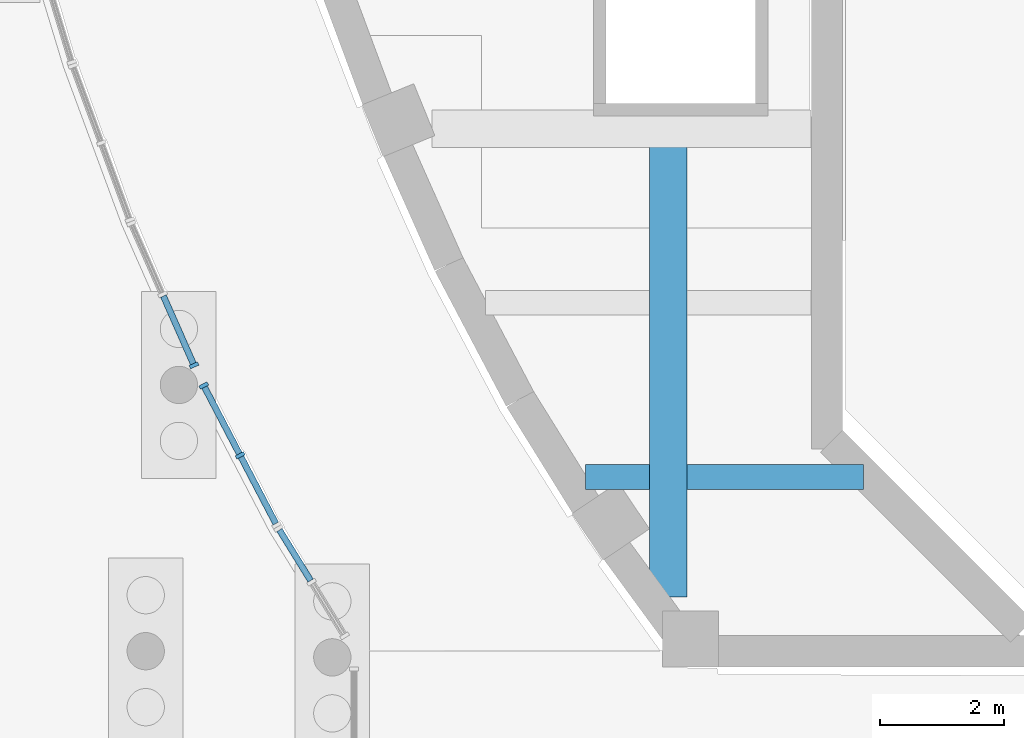
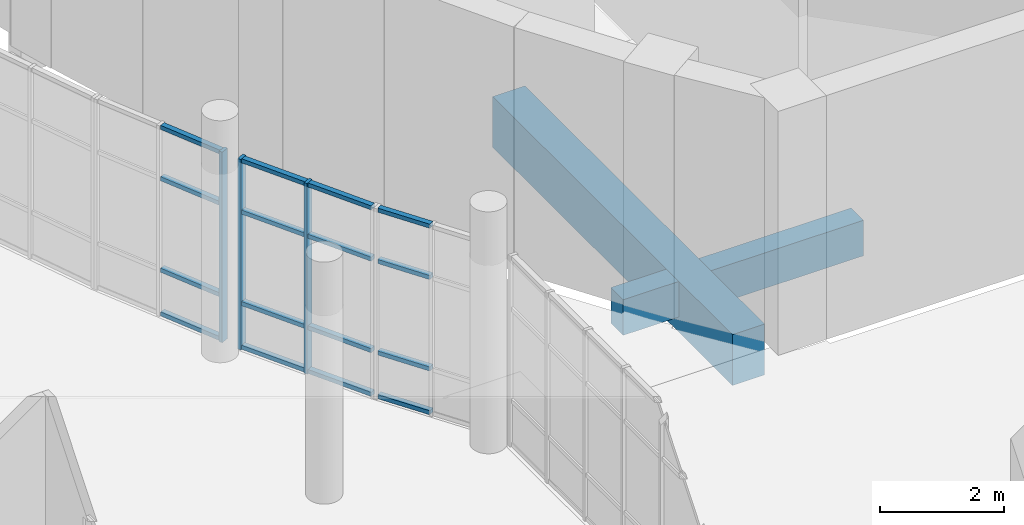
# One storey, part 16 of 110: 19 members, 3 beams, 3 elements without a shape of their own.
"""IFC4 building model written with IfcOpenShell, lengths in metres."""

from ifc_helpers import new_model, si_unit, direction, frame, origin, origin_2d, place, context, subcontext, project, spatial, rectangle, extrude, material, layer, layer_set, material_profile, profile_set, type_object, element, aggregate, save


model = new_model("IFC4")

# Units and contexts
model_context = context("Model", 3, precision=1e-05, world=origin(), true_north=direction((0.0, 1.0)))
body_context = subcontext(model_context, "Body", "Model", "MODEL_VIEW")
ifc_project = project(units=[si_unit("LENGTHUNIT", "METRE"), si_unit("AREAUNIT", "SQUARE_METRE"), si_unit("VOLUMEUNIT", "CUBIC_METRE"), si_unit("PLANEANGLEUNIT", "RADIAN"), si_unit("MASSUNIT", "GRAM", prefix="KILO")], contexts=[model_context])

# Site, building, storey
site_placement = place(None, origin())
site = spatial("IfcSite", under=ifc_project, at=site_placement, CompositionType="ELEMENT")
building_placement = place(site_placement, origin())
building = spatial("IfcBuilding", under=site, at=building_placement, Name="Larchfold Concert Hall", CompositionType="ELEMENT")
storey_placement = place(building_placement, origin())
storey = spatial("IfcBuildingStorey", under=building, at=storey_placement, Name="L00", CompositionType="ELEMENT", Elevation=0.0)

# Curtain wall, members
ifc_material_1 = material(Name="Anodised graphite aluminium curtain wall", Category="aluminium")
ifc_layer = layer(ifc_material_1, 0.14990234375)
ifc_layer_set = layer_set([ifc_layer], Name="Anodised graphite aluminium curtain wall")
curtain_wall_type = type_object("IfcCurtainWallType", Name="Curtain wall WG", PredefinedType="NOTDEFINED", material=ifc_layer_set)
curtain_wall_1_placement = place(storey_placement, origin())
curtain_wall_1 = element("IfcCurtainWall", 1, at=curtain_wall_1_placement, inside=storey, type_object=curtain_wall_type, Name="Curtain wall CW0062", PredefinedType="NOTDEFINED")
ifc_material_2 = material(Name="Anodised graphite aluminium mullion", Category="aluminium")
ifc_material_profile_1 = material_profile(ifc_material_2, rectangle(XDim=0.14990234375, YDim=0.06005859375, at=origin_2d()))
ifc_profile_set_1 = profile_set([ifc_material_profile_1], Name="Anodised graphite aluminium mullion")
member_type_1 = type_object("IfcMemberType", Name="Aluminium mullion 60x150", PredefinedType="MULLION", material=ifc_profile_set_1)
member_1_placement = place(storey_placement, frame((18.918212890625, 62.548095703125, 0.0), z_axis=(0.0, 0.0, 1.0), x_axis=(-0.886258835455, -0.463190324357, 0.0)))
member_1 = element("IfcMember", 2, at=member_1_placement, type_object=member_type_1, Name="CW0062 mullion 2", PredefinedType="MULLION", context=body_context, shape_type="SweptSolid", body=[
    extrude(rectangle(XDim=0.14990234375, YDim=0.06005859375, at=origin_2d()), origin(), (0.0, 0.0, 1.0), 3.75),
])
member_2_placement = place(storey_placement, frame((18.331787109375, 63.670166015625, 0.0), z_axis=(0.0, 0.0, 1.0), x_axis=(-0.886258835455, -0.463190324357, 0.0)))
member_2 = element("IfcMember", 3, at=member_2_placement, type_object=member_type_1, Name="CW0062 mullion 3", PredefinedType="MULLION", context=body_context, shape_type="SweptSolid", body=[
    extrude(rectangle(XDim=0.14990234375, YDim=0.06005859375, at=origin_2d()), origin(), (0.0, 0.0, 1.0), 3.75),
])

# Curtain wall, member
curtain_wall_2_placement = place(storey_placement, origin())
curtain_wall_2 = element("IfcCurtainWall", 4, at=curtain_wall_2_placement, inside=storey, type_object=curtain_wall_type, Name="Curtain wall CW0063", PredefinedType="NOTDEFINED")
member_3_placement = place(storey_placement, frame((18.17578125, 63.995361328125, 0.0), z_axis=(0.0, 0.0, 1.0), x_axis=(-0.914747417506, -0.40402618995, 0.0)))
member_3 = element("IfcMember", 5, at=member_3_placement, type_object=member_type_1, Name="CW0063 mullion 1", PredefinedType="MULLION", context=body_context, shape_type="SweptSolid", body=[
    extrude(rectangle(XDim=0.14990234375, YDim=0.06005859375, at=origin_2d()), origin(), (0.0, 0.0, 1.0), 3.75),
])

# Curtain wall, members
curtain_wall_3_placement = place(storey_placement, origin())
curtain_wall_3 = element("IfcCurtainWall", 6, at=curtain_wall_3_placement, inside=storey, type_object=curtain_wall_type, Name="Curtain wall CW0061", PredefinedType="NOTDEFINED")
ifc_material_3 = material(Name="Anodised graphite aluminium transom", Category="aluminium")
ifc_material_profile_2 = material_profile(ifc_material_3, rectangle(XDim=0.10009765625, YDim=0.080078125, at=origin_2d()))
ifc_profile_set_2 = profile_set([ifc_material_profile_2], Name="Anodised graphite aluminium transom")
member_type_2 = type_object("IfcMemberType", Name="Aluminium transom 80x100", PredefinedType="USERDEFINED", material=ifc_profile_set_2)
member_4_placement = place(storey_placement, frame((20.05029296875, 60.535400390625, 0.0400390625), z_axis=(-0.524054615194, 0.851684660126, 0.0), x_axis=(-0.851684660126, -0.524054615194, 0.0)))
member_4 = element("IfcMember", 7, at=member_4_placement, type_object=member_type_2, Name="CW0061 transom 2.1", ObjectType="TRANSOM", PredefinedType="USERDEFINED", context=body_context, shape_type="SweptSolid", body=[
    extrude(rectangle(XDim=0.10009765625, YDim=0.080078125, at=origin_2d()), origin(), (0.0, 0.0, 1.0), 0.95458984375),
])
member_5_placement = place(storey_placement, frame((20.05029296875, 60.535400390625, 0.89990234375), z_axis=(-0.524054615194, 0.851684660126, 0.0), x_axis=(-0.851684660126, -0.524054615194, 0.0)))
member_5 = element("IfcMember", 8, at=member_5_placement, type_object=member_type_2, Name="CW0061 transom 2.2", ObjectType="TRANSOM", PredefinedType="USERDEFINED", context=body_context, shape_type="SweptSolid", body=[
    extrude(rectangle(XDim=0.10009765625, YDim=0.080078125, at=origin_2d()), origin(), (0.0, 0.0, 1.0), 0.95458984375),
])
member_6_placement = place(storey_placement, frame((20.05029296875, 60.535400390625, 2.699951171875), z_axis=(-0.524054615194, 0.851684660126, 0.0), x_axis=(-0.851684660126, -0.524054615194, 0.0)))
member_6 = element("IfcMember", 9, at=member_6_placement, type_object=member_type_2, Name="CW0061 transom 2.3", ObjectType="TRANSOM", PredefinedType="USERDEFINED", context=body_context, shape_type="SweptSolid", body=[
    extrude(rectangle(XDim=0.10009765625, YDim=0.080078125, at=origin_2d()), origin(), (0.0, 0.0, 1.0), 0.95458984375),
])
member_7_placement = place(storey_placement, frame((20.05029296875, 60.535400390625, 3.7099609375), z_axis=(-0.524054615194, 0.851684660126, 0.0), x_axis=(-0.851684660126, -0.524054615194, 0.0)))
member_7 = element("IfcMember", 10, at=member_7_placement, type_object=member_type_2, Name="CW0061 transom 2.4", ObjectType="TRANSOM", PredefinedType="USERDEFINED", context=body_context, shape_type="SweptSolid", body=[
    extrude(rectangle(XDim=0.10009765625, YDim=0.080078125, at=origin_2d()), origin(), (0.0, 0.0, 1.0), 0.95458984375),
])
aggregate(curtain_wall_3, [member_4, member_5, member_6, member_7])

# Member
member_8_placement = place(storey_placement, frame((19.49072265625, 61.45263671875, 0.0400390625), z_axis=(-0.463174711118, 0.886266995313, 0.0), x_axis=(-0.886266995313, -0.463174711118, 0.0)))
member_8 = element("IfcMember", 11, at=member_8_placement, type_object=member_type_2, Name="CW0062 transom 1.1", ObjectType="TRANSOM", PredefinedType="USERDEFINED", context=body_context, shape_type="SweptSolid", body=[
    extrude(rectangle(XDim=0.10009765625, YDim=0.080078125, at=origin_2d()), origin(), (0.0, 0.0, 1.0), 1.2060546875),
])

member_9_placement = place(storey_placement, frame((19.49072265625, 61.45263671875, 0.89990234375), z_axis=(-0.463174711118, 0.886266995313, 0.0), x_axis=(-0.886266995313, -0.463174711118, 0.0)))
member_9 = element("IfcMember", 12, at=member_9_placement, type_object=member_type_2, Name="CW0062 transom 1.2", ObjectType="TRANSOM", PredefinedType="USERDEFINED", context=body_context, shape_type="SweptSolid", body=[
    extrude(rectangle(XDim=0.10009765625, YDim=0.080078125, at=origin_2d()), origin(), (0.0, 0.0, 1.0), 1.2060546875),
])

member_10_placement = place(storey_placement, frame((19.49072265625, 61.45263671875, 2.699951171875), z_axis=(-0.463174711118, 0.886266995313, 0.0), x_axis=(-0.886266995313, -0.463174711118, 0.0)))
member_10 = element("IfcMember", 13, at=member_10_placement, type_object=member_type_2, Name="CW0062 transom 1.3", ObjectType="TRANSOM", PredefinedType="USERDEFINED", context=body_context, shape_type="SweptSolid", body=[
    extrude(rectangle(XDim=0.10009765625, YDim=0.080078125, at=origin_2d()), origin(), (0.0, 0.0, 1.0), 1.2060546875),
])

member_11_placement = place(storey_placement, frame((19.49072265625, 61.45263671875, 3.7099609375), z_axis=(-0.463174711118, 0.886266995313, 0.0), x_axis=(-0.886266995313, -0.463174711118, 0.0)))
member_11 = element("IfcMember", 14, at=member_11_placement, type_object=member_type_2, Name="CW0062 transom 1.4", ObjectType="TRANSOM", PredefinedType="USERDEFINED", context=body_context, shape_type="SweptSolid", body=[
    extrude(rectangle(XDim=0.10009765625, YDim=0.080078125, at=origin_2d()), origin(), (0.0, 0.0, 1.0), 1.2060546875),
])

member_12_placement = place(storey_placement, frame((18.904296875, 62.57470703125, 0.0400390625), z_axis=(-0.463174711118, 0.886266995313, 0.0), x_axis=(-0.886266995313, -0.463174711118, 0.0)))
member_12 = element("IfcMember", 15, at=member_12_placement, type_object=member_type_2, Name="CW0062 transom 2.1", ObjectType="TRANSOM", PredefinedType="USERDEFINED", context=body_context, shape_type="SweptSolid", body=[
    extrude(rectangle(XDim=0.10009765625, YDim=0.080078125, at=origin_2d()), origin(), (0.0, 0.0, 1.0), 1.2060546875),
])

member_13_placement = place(storey_placement, frame((18.904296875, 62.57470703125, 0.89990234375), z_axis=(-0.463174711118, 0.886266995313, 0.0), x_axis=(-0.886266995313, -0.463174711118, 0.0)))
member_13 = element("IfcMember", 16, at=member_13_placement, type_object=member_type_2, Name="CW0062 transom 2.2", ObjectType="TRANSOM", PredefinedType="USERDEFINED", context=body_context, shape_type="SweptSolid", body=[
    extrude(rectangle(XDim=0.10009765625, YDim=0.080078125, at=origin_2d()), origin(), (0.0, 0.0, 1.0), 1.2060546875),
])

member_14_placement = place(storey_placement, frame((18.904296875, 62.57470703125, 2.699951171875), z_axis=(-0.463174711118, 0.886266995313, 0.0), x_axis=(-0.886266995313, -0.463174711118, 0.0)))
member_14 = element("IfcMember", 17, at=member_14_placement, type_object=member_type_2, Name="CW0062 transom 2.3", ObjectType="TRANSOM", PredefinedType="USERDEFINED", context=body_context, shape_type="SweptSolid", body=[
    extrude(rectangle(XDim=0.10009765625, YDim=0.080078125, at=origin_2d()), origin(), (0.0, 0.0, 1.0), 1.2060546875),
])

member_15_placement = place(storey_placement, frame((18.904296875, 62.57470703125, 3.7099609375), z_axis=(-0.463174711118, 0.886266995313, 0.0), x_axis=(-0.886266995313, -0.463174711118, 0.0)))
member_15 = element("IfcMember", 18, at=member_15_placement, type_object=member_type_2, Name="CW0062 transom 2.4", ObjectType="TRANSOM", PredefinedType="USERDEFINED", context=body_context, shape_type="SweptSolid", body=[
    extrude(rectangle(XDim=0.10009765625, YDim=0.080078125, at=origin_2d()), origin(), (0.0, 0.0, 1.0), 1.2060546875),
])

aggregate(curtain_wall_1, [member_1, member_2, member_8, member_9, member_10, member_11, member_12, member_13, member_14, member_15])

member_16_placement = place(storey_placement, frame((18.163818359375, 64.02294921875, 0.0400390625), z_axis=(-0.403999745193, 0.914759097186, 0.0), x_axis=(-0.914759097186, -0.403999745193, 0.0)))
member_16 = element("IfcMember", 19, at=member_16_placement, type_object=member_type_2, Name="CW0063 transom 1.1", ObjectType="TRANSOM", PredefinedType="USERDEFINED", context=body_context, shape_type="SweptSolid", body=[
    extrude(rectangle(XDim=0.10009765625, YDim=0.080078125, at=origin_2d()), origin(), (0.0, 0.0, 1.0), 1.186767578125),
])

member_17_placement = place(storey_placement, frame((18.163818359375, 64.02294921875, 0.89990234375), z_axis=(-0.403999745193, 0.914759097186, 0.0), x_axis=(-0.914759097186, -0.403999745193, 0.0)))
member_17 = element("IfcMember", 20, at=member_17_placement, type_object=member_type_2, Name="CW0063 transom 1.2", ObjectType="TRANSOM", PredefinedType="USERDEFINED", context=body_context, shape_type="SweptSolid", body=[
    extrude(rectangle(XDim=0.10009765625, YDim=0.080078125, at=origin_2d()), origin(), (0.0, 0.0, 1.0), 1.186767578125),
])

member_18_placement = place(storey_placement, frame((18.163818359375, 64.02294921875, 2.699951171875), z_axis=(-0.403999745193, 0.914759097186, 0.0), x_axis=(-0.914759097186, -0.403999745193, 0.0)))
member_18 = element("IfcMember", 21, at=member_18_placement, type_object=member_type_2, Name="CW0063 transom 1.3", ObjectType="TRANSOM", PredefinedType="USERDEFINED", context=body_context, shape_type="SweptSolid", body=[
    extrude(rectangle(XDim=0.10009765625, YDim=0.080078125, at=origin_2d()), origin(), (0.0, 0.0, 1.0), 1.186767578125),
])

member_19_placement = place(storey_placement, frame((18.163818359375, 64.02294921875, 3.7099609375), z_axis=(-0.403999745193, 0.914759097186, 0.0), x_axis=(-0.914759097186, -0.403999745193, 0.0)))
member_19 = element("IfcMember", 22, at=member_19_placement, type_object=member_type_2, Name="CW0063 transom 1.4", ObjectType="TRANSOM", PredefinedType="USERDEFINED", context=body_context, shape_type="SweptSolid", body=[
    extrude(rectangle(XDim=0.10009765625, YDim=0.080078125, at=origin_2d()), origin(), (0.0, 0.0, 1.0), 1.186767578125),
])

aggregate(curtain_wall_2, [member_3, member_16, member_17, member_18, member_19])

# Beams
ifc_material_4 = material(Name="Concrete C35/45", Category="concrete")
ifc_material_profile_3 = material_profile(ifc_material_4, rectangle(XDim=0.39990234375, YDim=0.699951171875, at=origin_2d()))
ifc_profile_set_3 = profile_set([ifc_material_profile_3], Name="Concrete C35/45")
beam_type_1 = type_object("IfcBeamType", Name="Beam RC 400x700", PredefinedType="BEAM", material=ifc_profile_set_3)
beam_1_placement = place(storey_placement, frame((24.465087890625, 62.199951171875, -0.550048828125), z_axis=(1.0, 0.0, 0.0), x_axis=(0.0, 1.0, 0.0)))
element("IfcBeam", 23, at=beam_1_placement, inside=storey, type_object=beam_type_1, Name="Beam B1135", PredefinedType="BEAM", context=body_context, shape_type="SweptSolid", body=[
    extrude(rectangle(XDim=0.39990234375, YDim=0.699951171875, at=origin_2d()), origin(), (0.0, 0.0, 1.0), 1.034912109375),
])
beam_2_placement = place(storey_placement, frame((26.10009765625, 62.199951171875, -0.550048828125), z_axis=(1.0, 0.0, 0.0), x_axis=(0.0, 1.0, 0.0)))
element("IfcBeam", 24, at=beam_2_placement, inside=storey, type_object=beam_type_1, Name="Beam B1136", PredefinedType="BEAM", context=body_context, shape_type="SweptSolid", body=[
    extrude(rectangle(XDim=0.39990234375, YDim=0.699951171875, at=origin_2d()), origin(), (0.0, 0.0, 1.0), 2.8359375),
])
ifc_material_5 = material(Name="Concrete C35/45", Category="concrete")
ifc_material_profile_4 = material_profile(ifc_material_5, rectangle(XDim=0.60009765625, YDim=1.0, at=origin_2d()))
ifc_profile_set_4 = profile_set([ifc_material_profile_4], Name="Concrete C35/45")
beam_type_2 = type_object("IfcBeamType", Name="Beam RC 600x1000", PredefinedType="BEAM", material=ifc_profile_set_4)
beam_3_placement = place(storey_placement, frame((25.800048828125, 60.271240234375, -0.699951171875), z_axis=(0.0, 1.0, 0.0), x_axis=(-1.0, 0.0, 0.0)))
element("IfcBeam", 25, at=beam_3_placement, inside=storey, type_object=beam_type_2, Name="Beam B1106", PredefinedType="BEAM", context=body_context, shape_type="SweptSolid", body=[
    extrude(rectangle(XDim=0.60009765625, YDim=1.0, at=origin_2d()), origin(), (0.0, 0.0, 1.0), 7.728759765625),
])

save(model, "model.ifc")
